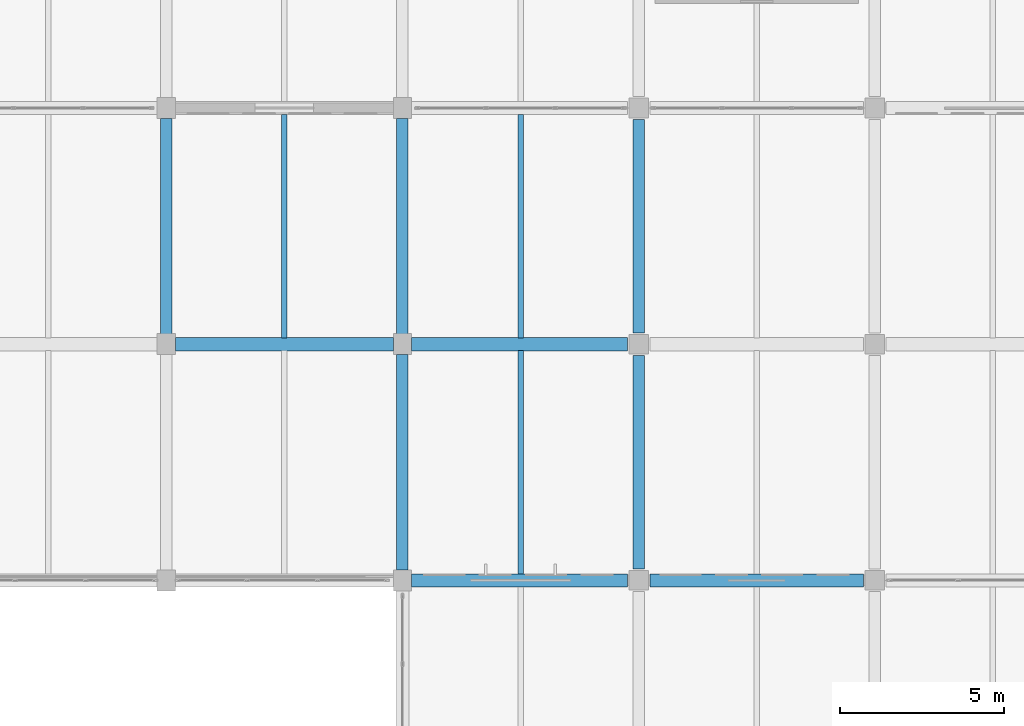
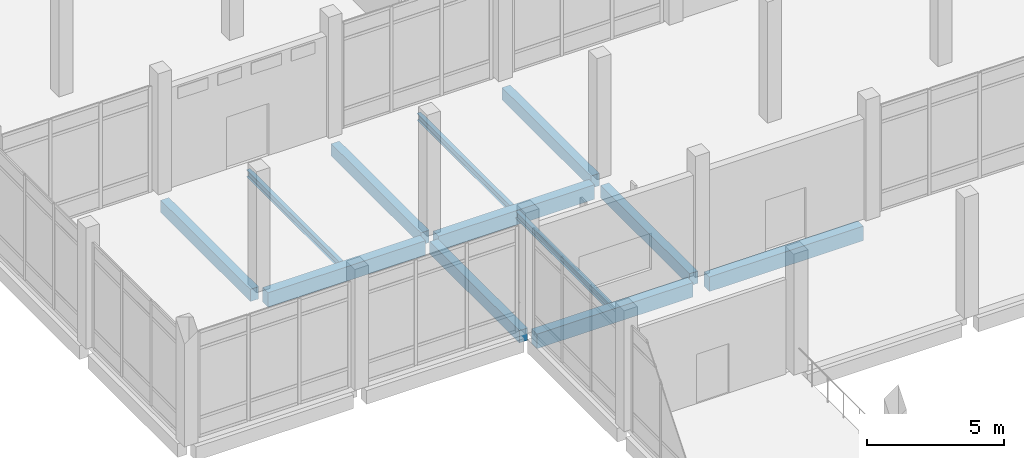
# One storey, part 118 of 180: 12 beams.
"""IFC4 building model written with IfcOpenShell, lengths in metres."""

from ifc_helpers import new_model, si_unit, direction, frame, origin, origin_2d, place, context, subcontext, project, spatial, rectangle, i_section, extrude, material, material_profile, profile_set, type_object, element, save


model = new_model("IFC4")

# Units and contexts
model_context = context("Model", 3, precision=1e-05, world=origin(), true_north=direction((0.0, 1.0)))
body_context = subcontext(model_context, "Body", "Model", "MODEL_VIEW")
ifc_project = project(units=[si_unit("LENGTHUNIT", "METRE"), si_unit("AREAUNIT", "SQUARE_METRE"), si_unit("VOLUMEUNIT", "CUBIC_METRE"), si_unit("PLANEANGLEUNIT", "RADIAN"), si_unit("MASSUNIT", "GRAM", prefix="KILO")], contexts=[model_context])

# Site, building, storey
site_placement = place(None, origin())
site = spatial("IfcSite", under=ifc_project, at=site_placement, CompositionType="ELEMENT")
building_placement = place(site_placement, origin())
building = spatial("IfcBuilding", under=site, at=building_placement, Name="Lusvemor Sports Hall", CompositionType="ELEMENT")
storey_placement = place(building_placement, frame((0.0, 0.0, 5.39990234375)))
storey = spatial("IfcBuildingStorey", under=building, at=storey_placement, Name="L01", CompositionType="ELEMENT", Elevation=5.39990234375)

# Beams
ifc_material_1 = material(Name="Concrete C40/50", Category="concrete")
ifc_material_profile_1 = material_profile(ifc_material_1, rectangle(XDim=0.35009765625, YDim=0.550048828125, at=origin_2d()), Name="RC350x550")
ifc_profile_set_1 = profile_set([ifc_material_profile_1], Name="Concrete C40/50")
beam_type_1 = type_object("IfcBeamType", Name="BEAM_RC_550", PredefinedType="BEAM", material=ifc_profile_set_1)
for number, where, z_axis, x_axis, name in (
    (1, (126.0, 90.31591796875, -0.544921875), (0.0, 1.0, 0.0), (-1.0, 0.0, 0.0), "Beam L01 14:M-N"),
    (2, (133.199951171875, 83.115966796875, -0.544921875), (0.0, 1.0, 0.0), (-1.0, 0.0, 0.0), "Beam L01 15:L-M"),
    (3, (133.199951171875, 90.31591796875, -0.544921875), (0.0, 1.0, 0.0), (-1.0, 0.0, 0.0), "Beam L01 15:M-N"),
):
    element("IfcBeam", number, at=place(storey_placement, frame(where, z_axis=z_axis, x_axis=x_axis)), inside=storey, type_object=beam_type_1, Name=name, PredefinedType="BEAM", context=body_context, shape_type="SweptSolid", body=[
        extrude(rectangle(XDim=0.35009765625, YDim=0.550048828125, at=origin_2d()), origin(), (0.0, 0.0, 1.0), 6.568115234375),
    ])
for number, where, z_axis, x_axis, name in (
    (4, (140.39990234375, 83.14599609375, -0.544921875), (0.0, 1.0, 0.0), (-1.0, 0.0, 0.0), "Beam L01 16:L-M"),
    (5, (140.39990234375, 90.345947265625, -0.544921875), (0.0, 1.0, 0.0), (-1.0, 0.0, 0.0), "Beam L01 16:M-N"),
):
    element("IfcBeam", number, at=place(storey_placement, frame(where, z_axis=z_axis, x_axis=x_axis)), inside=storey, type_object=beam_type_1, Name=name, PredefinedType="BEAM", context=body_context, shape_type="SweptSolid", body=[
        extrude(rectangle(XDim=0.35009765625, YDim=0.550048828125, at=origin_2d()), origin(), (0.0, 0.0, 1.0), 6.508056640625),
    ])
ifc_material_2 = material(Name="Concrete C40/50", Category="concrete")
ifc_material_profile_2 = material_profile(ifc_material_2, rectangle(XDim=0.39990234375, YDim=0.64990234375, at=origin_2d()), Name="RC400x650")
ifc_profile_set_2 = profile_set([ifc_material_profile_2], Name="Concrete C40/50")
beam_type_2 = type_object("IfcBeamType", Name="BEAM_RC_650", PredefinedType="BEAM", material=ifc_profile_set_2)
beam_1_placement = place(storey_placement, frame((133.47607421875, 82.800048828125, -0.594970703125), z_axis=(1.0, 0.0, 0.0), x_axis=(0.0, 1.0, 0.0)))
element("IfcBeam", 6, at=beam_1_placement, inside=storey, type_object=beam_type_2, Name="Beam L01 L:15-16", PredefinedType="BEAM", context=body_context, shape_type="SweptSolid", body=[
    extrude(rectangle(XDim=0.39990234375, YDim=0.64990234375, at=origin_2d()), origin(), (0.0, 0.0, 1.0), 6.577880859375),
])
beam_2_placement = place(storey_placement, frame((140.74609375, 82.800048828125, -0.594970703125), z_axis=(1.0, 0.0, 0.0), x_axis=(0.0, 1.0, 0.0)))
element("IfcBeam", 7, at=beam_2_placement, inside=storey, type_object=beam_type_2, Name="Beam L01 L:16-17", PredefinedType="BEAM", context=body_context, shape_type="SweptSolid", body=[
    extrude(rectangle(XDim=0.39990234375, YDim=0.64990234375, at=origin_2d()), origin(), (0.0, 0.0, 1.0), 6.5078125),
])
beam_3_placement = place(storey_placement, frame((126.27587890625, 90.0, -0.594970703125), z_axis=(1.0, 0.0, 0.0), x_axis=(0.0, 1.0, 0.0)))
element("IfcBeam", 8, at=beam_3_placement, inside=storey, type_object=beam_type_2, Name="Beam L01 M:14-15", PredefinedType="BEAM", context=body_context, shape_type="SweptSolid", body=[
    extrude(rectangle(XDim=0.39990234375, YDim=0.64990234375, at=origin_2d()), origin(), (0.0, 0.0, 1.0), 6.648193359375),
])
beam_4_placement = place(storey_placement, frame((133.47607421875, 90.0, -0.594970703125), z_axis=(1.0, 0.0, 0.0), x_axis=(0.0, 1.0, 0.0)))
element("IfcBeam", 9, at=beam_4_placement, inside=storey, type_object=beam_type_2, Name="Beam L01 M:15-16", PredefinedType="BEAM", context=body_context, shape_type="SweptSolid", body=[
    extrude(rectangle(XDim=0.39990234375, YDim=0.64990234375, at=origin_2d()), origin(), (0.0, 0.0, 1.0), 6.577880859375),
])
ifc_material_3 = material(Name="Steel S355", Category="steel")
ifc_material_profile_3 = material_profile(ifc_material_3, i_section(OverallWidth=0.1669921875, OverallDepth=0.31689453125, WebThickness=0.007568359375, FlangeThickness=0.01318359375, FilletRadius=0.014892578125, at=origin_2d()), Name="W310x52.0")
ifc_profile_set_3 = profile_set([ifc_material_profile_3], Name="Steel S355")
beam_type_3 = type_object("IfcBeamType", Name="JOIST_ST_310M", PredefinedType="JOIST", material=ifc_profile_set_3)
for number, where, z_axis, x_axis, name in (
    (10, (129.60009765625, 90.196044921875, -0.432373046875), (0.0, 1.0, 0.0), (-1.0, 0.0, 0.0), "Secondary Joist L01 14-15/M-N #1"),
    (11, (136.800048828125, 82.99609375, -0.432373046875), (0.0, 1.0, 0.0), (-1.0, 0.0, 0.0), "Secondary Joist L01 15-16/L-M #1"),
    (12, (136.800048828125, 90.196044921875, -0.432373046875), (0.0, 1.0, 0.0), (-1.0, 0.0, 0.0), "Secondary Joist L01 15-16/M-N #1"),
):
    element("IfcBeam", number, at=place(storey_placement, frame(where, z_axis=z_axis, x_axis=x_axis)), inside=storey, type_object=beam_type_3, Name=name, PredefinedType="JOIST", context=body_context, shape_type="SweptSolid", body=[
        extrude(i_section(OverallWidth=0.1669921875, OverallDepth=0.31689453125, WebThickness=0.007568359375, FlangeThickness=0.01318359375, FilletRadius=0.014892578125, at=origin_2d()), origin(), (0.0, 0.0, 1.0), 6.807861328125),
    ])

save(model, "model.ifc")
